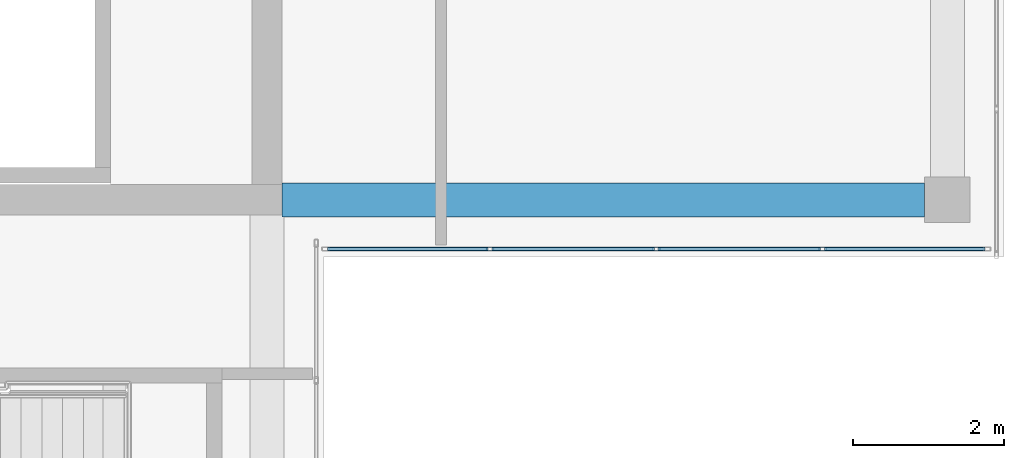
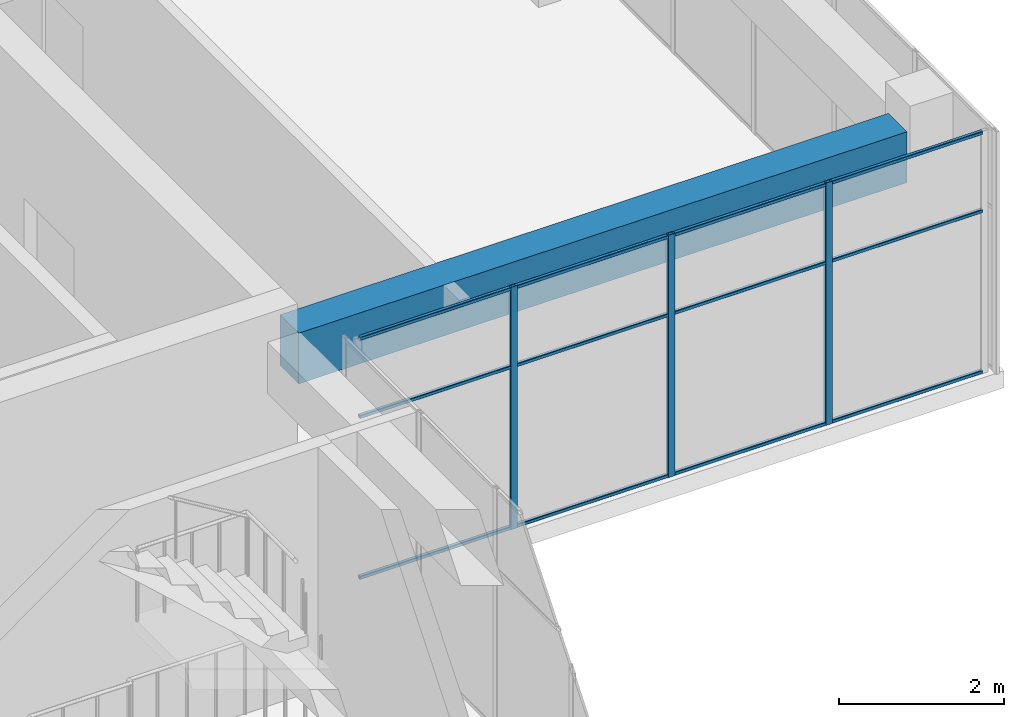
# One storey, part 16 of 35: 15 members, 1 beam, 1 element without a shape of its own.
"""IFC4 building model written with IfcOpenShell, lengths in metres."""

from ifc_helpers import new_model, si_unit, direction, frame, origin, origin_2d, place, context, subcontext, project, spatial, rectangle, hollow_rectangle, extrude, material, layer, layer_set, material_profile, profile_set, type_object, element, aggregate, save


model = new_model("IFC4")

# Units and contexts
model_context = context("Model", 3, precision=1e-05, world=origin(), true_north=direction((0.0, 1.0)))
body_context = subcontext(model_context, "Body", "Model", "MODEL_VIEW")
ifc_project = project(units=[si_unit("LENGTHUNIT", "METRE"), si_unit("AREAUNIT", "SQUARE_METRE"), si_unit("VOLUMEUNIT", "CUBIC_METRE"), si_unit("PLANEANGLEUNIT", "RADIAN"), si_unit("MASSUNIT", "GRAM", prefix="KILO")], contexts=[model_context])

# Site, building, storey
site_placement = place(None, origin())
site = spatial("IfcSite", under=ifc_project, at=site_placement, CompositionType="ELEMENT")
building_placement = place(site_placement, origin())
building = spatial("IfcBuilding", under=site, at=building_placement, Name="Tuart Plaza Theatre", CompositionType="ELEMENT")
storey_placement = place(building_placement, frame((0.0, 0.0, 49.5)))
storey = spatial("IfcBuildingStorey", under=building, at=storey_placement, Name="L12", CompositionType="ELEMENT", Elevation=49.5)

# Beam
ifc_material_1 = material(Name="Concrete N40 (40 MPa)", Category="concrete")
ifc_material_profile_1 = material_profile(ifc_material_1, rectangle(XDim=0.449951171875, YDim=0.75, at=origin_2d()), Name="BEAM 450x750 Concrete N40 (40 MPa)")
ifc_profile_set_1 = profile_set([ifc_material_profile_1], Name="Concrete N40 (40 MPa)")
beam_type = type_object("IfcBeamType", Name="BEAM 450x750 Concrete N40 (40 MPa)", PredefinedType="BEAM", material=ifc_profile_set_1)
beam_placement = place(storey_placement, frame((141.199951171875, 65.0, 3.205078125), z_axis=(1.0, 0.0, 0.0), x_axis=(0.0, 1.0, 0.0)))
element("IfcBeam", 1, at=beam_placement, inside=storey, type_object=beam_type, Name="RB306", PredefinedType="BEAM", context=body_context, shape_type="SweptSolid", body=[
    extrude(rectangle(XDim=0.449951171875, YDim=0.75, at=origin_2d()), origin(), (0.0, 0.0, 1.0), 8.5),
])

# Curtain wall, members
ifc_material_2 = material(Name="Aluminium and glass", Category="aluminium")
ifc_layer = layer(ifc_material_2, 0.10009765625)
ifc_layer_set = layer_set([ifc_layer], Name="CURTAIN WALL 2000 module")
curtain_wall_type = type_object("IfcCurtainWallType", Name="CURTAIN WALL 2000 module", PredefinedType="NOTDEFINED", material=ifc_layer_set)
curtain_wall_placement = place(storey_placement, origin())
curtain_wall = element("IfcCurtainWall", 2, at=curtain_wall_placement, inside=storey, type_object=curtain_wall_type, Name="CW101", PredefinedType="NOTDEFINED")
ifc_material_3 = material(Name="Aluminium 6063-T5", Category="aluminium")
ifc_material_profile_2 = material_profile(ifc_material_3, hollow_rectangle(XDim=0.050048828125, YDim=0.10009765625, WallThickness=0.00390625, InnerFilletRadius=0.00390625, OuterFilletRadius=0.008056640625, at=origin_2d()), Name="RHS 100x50x4")
ifc_profile_set_2 = profile_set([ifc_material_profile_2], Name="Aluminium 6063-T5")
member_type_1 = type_object("IfcMemberType", Name="MULLION RHS 100x50x4", PredefinedType="MULLION", material=ifc_profile_set_2)
member_1_placement = place(storey_placement, frame((143.949951171875, 64.35009765625, 0.0), z_axis=(0.0, 0.0, 1.0), x_axis=(0.0, 1.0, 0.0)))
member_1 = element("IfcMember", 3, at=member_1_placement, type_object=member_type_1, Name="CW101 mullion 2", PredefinedType="MULLION", context=body_context, shape_type="SweptSolid", body=[
    extrude(hollow_rectangle(XDim=0.050048828125, YDim=0.10009765625, WallThickness=0.00390625, InnerFilletRadius=0.00390625, OuterFilletRadius=0.008056640625, at=origin_2d()), origin(), (0.0, 0.0, 1.0), 3.580078125),
])
member_2_placement = place(storey_placement, frame((146.14990234375, 64.35009765625, 0.0), z_axis=(0.0, 0.0, 1.0), x_axis=(0.0, 1.0, 0.0)))
member_2 = element("IfcMember", 4, at=member_2_placement, type_object=member_type_1, Name="CW101 mullion 3", PredefinedType="MULLION", context=body_context, shape_type="SweptSolid", body=[
    extrude(hollow_rectangle(XDim=0.050048828125, YDim=0.10009765625, WallThickness=0.00390625, InnerFilletRadius=0.00390625, OuterFilletRadius=0.008056640625, at=origin_2d()), origin(), (0.0, 0.0, 1.0), 3.580078125),
])
member_3_placement = place(storey_placement, frame((148.35009765625, 64.35009765625, 0.0), z_axis=(0.0, 0.0, 1.0), x_axis=(0.0, 1.0, 0.0)))
member_3 = element("IfcMember", 5, at=member_3_placement, type_object=member_type_1, Name="CW101 mullion 4", PredefinedType="MULLION", context=body_context, shape_type="SweptSolid", body=[
    extrude(hollow_rectangle(XDim=0.050048828125, YDim=0.10009765625, WallThickness=0.00390625, InnerFilletRadius=0.00390625, OuterFilletRadius=0.008056640625, at=origin_2d()), origin(), (0.0, 0.0, 1.0), 3.580078125),
])
ifc_material_4 = material(Name="Aluminium 6063-T5", Category="aluminium")
ifc_material_profile_3 = material_profile(ifc_material_4, hollow_rectangle(XDim=0.050048828125, YDim=0.050048828125, WallThickness=0.00390625, InnerFilletRadius=0.00390625, OuterFilletRadius=0.008056640625, at=origin_2d()), Name="RHS 50x50x4")
ifc_profile_set_3 = profile_set([ifc_material_profile_3], Name="Aluminium 6063-T5")
member_type_2 = type_object("IfcMemberType", Name="TRANSOM RHS 50x50x4", PredefinedType="USERDEFINED", material=ifc_profile_set_3)
member_4_placement = place(storey_placement, frame((141.800048828125, 64.35009765625, 0.02490234375), z_axis=(1.0, 0.0, 0.0), x_axis=(0.0, 1.0, 0.0)))
member_4 = element("IfcMember", 6, at=member_4_placement, type_object=member_type_2, Name="CW101 transom 1.1", ObjectType="TRANSOM", PredefinedType="USERDEFINED", context=body_context, shape_type="SweptSolid", body=[
    extrude(hollow_rectangle(XDim=0.050048828125, YDim=0.050048828125, WallThickness=0.00390625, InnerFilletRadius=0.00390625, OuterFilletRadius=0.008056640625, at=origin_2d()), origin(), (0.0, 0.0, 1.0), 2.125),
])
member_5_placement = place(storey_placement, frame((141.800048828125, 64.35009765625, 2.39990234375), z_axis=(1.0, 0.0, 0.0), x_axis=(0.0, 1.0, 0.0)))
member_5 = element("IfcMember", 7, at=member_5_placement, type_object=member_type_2, Name="CW101 transom 1.2", ObjectType="TRANSOM", PredefinedType="USERDEFINED", context=body_context, shape_type="SweptSolid", body=[
    extrude(hollow_rectangle(XDim=0.050048828125, YDim=0.050048828125, WallThickness=0.00390625, InnerFilletRadius=0.00390625, OuterFilletRadius=0.008056640625, at=origin_2d()), origin(), (0.0, 0.0, 1.0), 2.125),
])
member_6_placement = place(storey_placement, frame((141.800048828125, 64.35009765625, 3.554931640625), z_axis=(1.0, 0.0, 0.0), x_axis=(0.0, 1.0, 0.0)))
member_6 = element("IfcMember", 8, at=member_6_placement, type_object=member_type_2, Name="CW101 transom 1.3", ObjectType="TRANSOM", PredefinedType="USERDEFINED", context=body_context, shape_type="SweptSolid", body=[
    extrude(hollow_rectangle(XDim=0.050048828125, YDim=0.050048828125, WallThickness=0.00390625, InnerFilletRadius=0.00390625, OuterFilletRadius=0.008056640625, at=origin_2d()), origin(), (0.0, 0.0, 1.0), 2.125),
])
member_7_placement = place(storey_placement, frame((143.97509765625, 64.35009765625, 0.02490234375), z_axis=(1.0, 0.0, 0.0), x_axis=(0.0, 1.0, 0.0)))
member_7 = element("IfcMember", 9, at=member_7_placement, type_object=member_type_2, Name="CW101 transom 2.1", ObjectType="TRANSOM", PredefinedType="USERDEFINED", context=body_context, shape_type="SweptSolid", body=[
    extrude(hollow_rectangle(XDim=0.050048828125, YDim=0.050048828125, WallThickness=0.00390625, InnerFilletRadius=0.00390625, OuterFilletRadius=0.008056640625, at=origin_2d()), origin(), (0.0, 0.0, 1.0), 2.14990234375),
])
member_8_placement = place(storey_placement, frame((143.97509765625, 64.35009765625, 2.39990234375), z_axis=(1.0, 0.0, 0.0), x_axis=(0.0, 1.0, 0.0)))
member_8 = element("IfcMember", 10, at=member_8_placement, type_object=member_type_2, Name="CW101 transom 2.2", ObjectType="TRANSOM", PredefinedType="USERDEFINED", context=body_context, shape_type="SweptSolid", body=[
    extrude(hollow_rectangle(XDim=0.050048828125, YDim=0.050048828125, WallThickness=0.00390625, InnerFilletRadius=0.00390625, OuterFilletRadius=0.008056640625, at=origin_2d()), origin(), (0.0, 0.0, 1.0), 2.14990234375),
])
member_9_placement = place(storey_placement, frame((143.97509765625, 64.35009765625, 3.554931640625), z_axis=(1.0, 0.0, 0.0), x_axis=(0.0, 1.0, 0.0)))
member_9 = element("IfcMember", 11, at=member_9_placement, type_object=member_type_2, Name="CW101 transom 2.3", ObjectType="TRANSOM", PredefinedType="USERDEFINED", context=body_context, shape_type="SweptSolid", body=[
    extrude(hollow_rectangle(XDim=0.050048828125, YDim=0.050048828125, WallThickness=0.00390625, InnerFilletRadius=0.00390625, OuterFilletRadius=0.008056640625, at=origin_2d()), origin(), (0.0, 0.0, 1.0), 2.14990234375),
])
member_10_placement = place(storey_placement, frame((146.175048828125, 64.35009765625, 0.02490234375), z_axis=(1.0, 0.0, 0.0), x_axis=(0.0, 1.0, 0.0)))
member_10 = element("IfcMember", 12, at=member_10_placement, type_object=member_type_2, Name="CW101 transom 3.1", ObjectType="TRANSOM", PredefinedType="USERDEFINED", context=body_context, shape_type="SweptSolid", body=[
    extrude(hollow_rectangle(XDim=0.050048828125, YDim=0.050048828125, WallThickness=0.00390625, InnerFilletRadius=0.00390625, OuterFilletRadius=0.008056640625, at=origin_2d()), origin(), (0.0, 0.0, 1.0), 2.14990234375),
])
member_11_placement = place(storey_placement, frame((146.175048828125, 64.35009765625, 2.39990234375), z_axis=(1.0, 0.0, 0.0), x_axis=(0.0, 1.0, 0.0)))
member_11 = element("IfcMember", 13, at=member_11_placement, type_object=member_type_2, Name="CW101 transom 3.2", ObjectType="TRANSOM", PredefinedType="USERDEFINED", context=body_context, shape_type="SweptSolid", body=[
    extrude(hollow_rectangle(XDim=0.050048828125, YDim=0.050048828125, WallThickness=0.00390625, InnerFilletRadius=0.00390625, OuterFilletRadius=0.008056640625, at=origin_2d()), origin(), (0.0, 0.0, 1.0), 2.14990234375),
])
member_12_placement = place(storey_placement, frame((146.175048828125, 64.35009765625, 3.554931640625), z_axis=(1.0, 0.0, 0.0), x_axis=(0.0, 1.0, 0.0)))
member_12 = element("IfcMember", 14, at=member_12_placement, type_object=member_type_2, Name="CW101 transom 3.3", ObjectType="TRANSOM", PredefinedType="USERDEFINED", context=body_context, shape_type="SweptSolid", body=[
    extrude(hollow_rectangle(XDim=0.050048828125, YDim=0.050048828125, WallThickness=0.00390625, InnerFilletRadius=0.00390625, OuterFilletRadius=0.008056640625, at=origin_2d()), origin(), (0.0, 0.0, 1.0), 2.14990234375),
])
member_13_placement = place(storey_placement, frame((148.375, 64.35009765625, 0.02490234375), z_axis=(1.0, 0.0, 0.0), x_axis=(0.0, 1.0, 0.0)))
member_13 = element("IfcMember", 15, at=member_13_placement, type_object=member_type_2, Name="CW101 transom 4.1", ObjectType="TRANSOM", PredefinedType="USERDEFINED", context=body_context, shape_type="SweptSolid", body=[
    extrude(hollow_rectangle(XDim=0.050048828125, YDim=0.050048828125, WallThickness=0.00390625, InnerFilletRadius=0.00390625, OuterFilletRadius=0.008056640625, at=origin_2d()), origin(), (0.0, 0.0, 1.0), 2.125),
])
member_14_placement = place(storey_placement, frame((148.375, 64.35009765625, 2.39990234375), z_axis=(1.0, 0.0, 0.0), x_axis=(0.0, 1.0, 0.0)))
member_14 = element("IfcMember", 16, at=member_14_placement, type_object=member_type_2, Name="CW101 transom 4.2", ObjectType="TRANSOM", PredefinedType="USERDEFINED", context=body_context, shape_type="SweptSolid", body=[
    extrude(hollow_rectangle(XDim=0.050048828125, YDim=0.050048828125, WallThickness=0.00390625, InnerFilletRadius=0.00390625, OuterFilletRadius=0.008056640625, at=origin_2d()), origin(), (0.0, 0.0, 1.0), 2.125),
])
member_15_placement = place(storey_placement, frame((148.375, 64.35009765625, 3.554931640625), z_axis=(1.0, 0.0, 0.0), x_axis=(0.0, 1.0, 0.0)))
member_15 = element("IfcMember", 17, at=member_15_placement, type_object=member_type_2, Name="CW101 transom 4.3", ObjectType="TRANSOM", PredefinedType="USERDEFINED", context=body_context, shape_type="SweptSolid", body=[
    extrude(hollow_rectangle(XDim=0.050048828125, YDim=0.050048828125, WallThickness=0.00390625, InnerFilletRadius=0.00390625, OuterFilletRadius=0.008056640625, at=origin_2d()), origin(), (0.0, 0.0, 1.0), 2.125),
])
aggregate(curtain_wall, [member_1, member_2, member_3, member_4, member_5, member_6, member_7, member_8, member_9, member_10, member_11, member_12, member_13, member_14, member_15])

save(model, "model.ifc")
